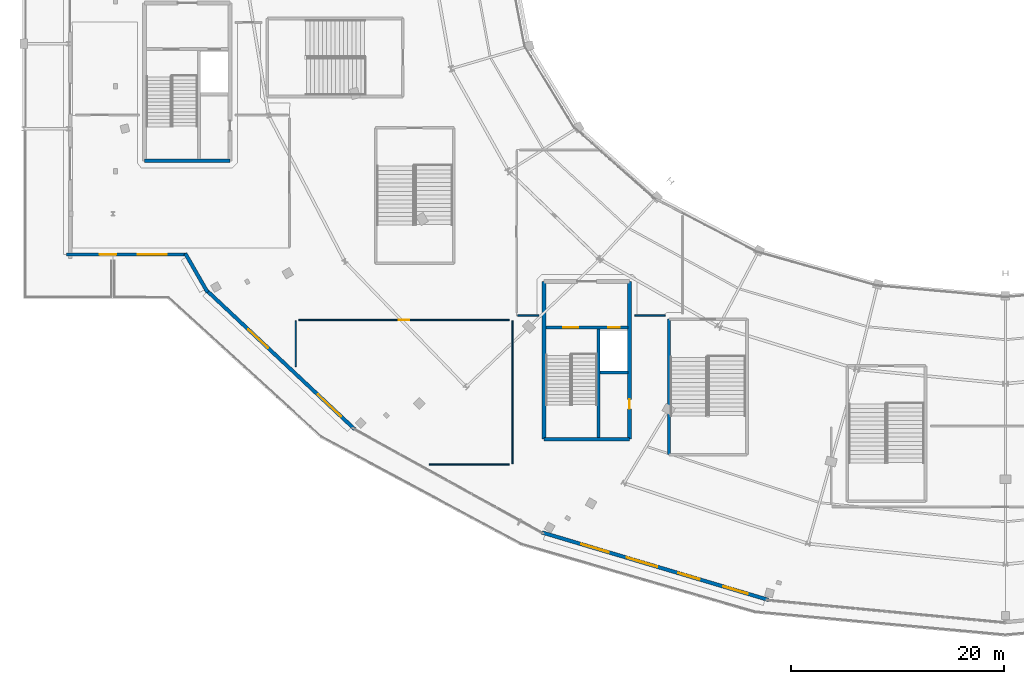
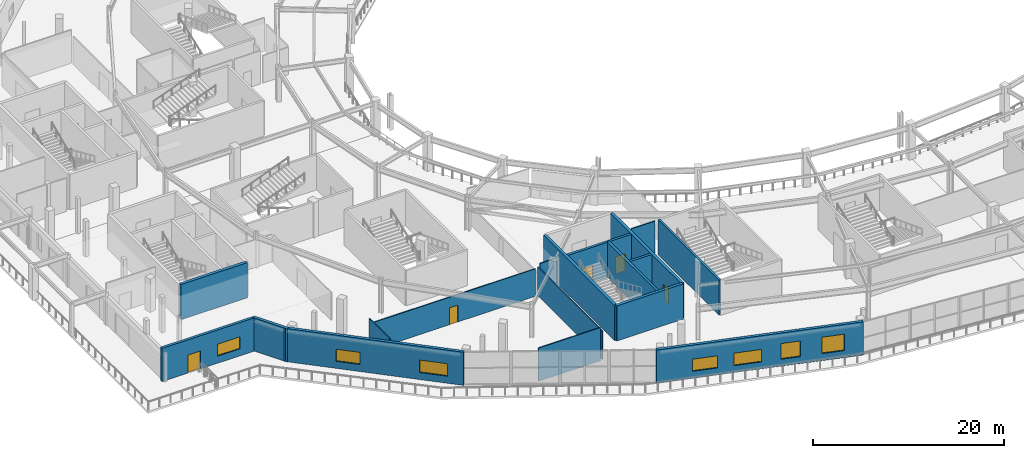
# One storey, part 74 of 107: 18 walls, 7 windows, 5 doors, 12 openings.
"""IFC4 building model written with IfcOpenShell, lengths in metres."""

import ifcopenshell
import ifcopenshell.guid

model = None  # the IFC model being written
_history = None  # IfcOwnerHistory: only IFC2X3 demands one
_inside = {}  # id of a spatial element -> (the spatial element, [elements in it])
_under = {}  # id of a project, library or spatial element -> (it, [spatial elements below it])
_declared = {}  # id of a project -> (the project, [libraries it declares])
_typed = {}  # id of a type object -> (the type object, [elements of that type])
_made_of = {}  # id of a material, layer set ... -> (it, [elements and type objects made of it])


def new_model(schema):
    """Start an empty IFC model of exactly this schema.

    Asked for "IFC4X3", IfcOpenShell would pick the latest addendum, in which some entities
    have other attributes; the version numbers below select the first issue.
    IFC2X3 requires an IfcOwnerHistory on every rooted entity: one is made here for all.
    """
    global model, _history
    if schema == "IFC4X3":
        model = ifcopenshell.file(schema_version=(4, 3, 0, 0))
    else:
        model = ifcopenshell.file(schema=schema)
    _inside.clear()
    _under.clear()
    _declared.clear()
    _typed.clear()
    _made_of.clear()
    _history = None
    if model.schema == "IFC2X3":
        org = make("IfcOrganization", Name="unknown")
        user = make(
            "IfcPersonAndOrganization",
            ThePerson=make("IfcPerson", FamilyName="unknown"),
            TheOrganization=org,
        )
        app = make(
            "IfcApplication",
            ApplicationDeveloper=org,
            Version="unknown",
            ApplicationFullName="unknown",
            ApplicationIdentifier="unknown",
        )
        _history = make(
            "IfcOwnerHistory",
            OwningUser=user,
            OwningApplication=app,
            ChangeAction="ADDED",
            CreationDate=0,
        )
    return model


def make(cls, **values):
    """One entity of the class cls with the attributes given. An attribute that is None is left unset."""
    return model.create_entity(
        cls, **{name: value for name, value in values.items() if value is not None}
    )


def rooted(cls, **values):
    """An entity with a GlobalId (a new one), such as an element, a storey or a relation."""
    return make(cls, GlobalId=ifcopenshell.guid.new(), OwnerHistory=_history, **values)


def si_unit(unit_type, name, prefix=None):
    """IfcSIUnit, for example si_unit("LENGTHUNIT", "METRE", prefix="MILLI")."""
    return make("IfcSIUnit", UnitType=unit_type, Prefix=prefix, Name=name)


def assignment(units):
    """IfcUnitAssignment: the units of a project."""
    return None if units is None else make("IfcUnitAssignment", Units=units)


def point(xyz):
    """IfcCartesianPoint."""
    return None if xyz is None else make("IfcCartesianPoint", Coordinates=xyz)


def direction(xyz):
    """IfcDirection."""
    return None if xyz is None else make("IfcDirection", DirectionRatios=xyz)


def frame(location, z_axis=None, x_axis=None):
    """IfcAxis2Placement3D, a coordinate frame: its origin and axes. An axis left out is left unset."""
    return make(
        "IfcAxis2Placement3D",
        Location=point(location),
        Axis=direction(z_axis),
        RefDirection=direction(x_axis),
    )


def frame_2d(location, x_axis=None):
    """IfcAxis2Placement2D, a coordinate frame in the plane: its origin and x axis."""
    return make(
        "IfcAxis2Placement2D", Location=point(location), RefDirection=direction(x_axis)
    )


def origin():
    """The frame at (0, 0, 0) with its axes left unset."""
    return frame((0.0, 0.0, 0.0))


def place(relative_to, where):
    """IfcLocalPlacement: puts the frame where relative to a parent placement (None: the world)."""
    return make(
        "IfcLocalPlacement", PlacementRelTo=relative_to, RelativePlacement=where
    )


def context(
    kind, dimensions, precision=None, world=None, true_north=None, identifier=None
):
    """IfcGeometricRepresentationContext, for example the 3D "Model" context."""
    return make(
        "IfcGeometricRepresentationContext",
        ContextIdentifier=identifier,
        ContextType=kind,
        CoordinateSpaceDimension=dimensions,
        Precision=precision,
        WorldCoordinateSystem=world,
        TrueNorth=true_north,
    )


def subcontext(parent, identifier, kind, view, scale=None):
    """IfcGeometricRepresentationSubContext, for example "Body" below "Model"."""
    return make(
        "IfcGeometricRepresentationSubContext",
        ContextIdentifier=identifier,
        ContextType=kind,
        ParentContext=parent,
        TargetScale=scale,
        TargetView=view,
    )


def project(units=None, contexts=None):
    """IfcProject with its units and contexts."""
    return rooted(
        "IfcProject",
        Name="project",
        RepresentationContexts=contexts,
        UnitsInContext=assignment(units),
    )


def spatial(cls, under=None, at=None, **own):
    """A site, building, storey or space (cls), placed at a placement, below another one or the project."""
    s = rooted(cls, ObjectPlacement=at, **own)
    if under is not None:
        _under.setdefault(under.id(), (under, []))[1].append(s)
    return s


def profile(cls, at=None, kind="AREA", **sizes):
    """A parametric profile (cls). Its sizes go by their IFC names, for example OverallWidth=200.0."""
    return make(cls, ProfileType=kind, Position=at, **sizes)


def rectangle(**sizes):
    """IfcRectangleProfileDef."""
    return profile("IfcRectangleProfileDef", **sizes)


def extrude(swept, where, along, depth):
    """IfcExtrudedAreaSolid: the profile swept, set in the frame where, extruded along a direction by depth."""
    return make(
        "IfcExtrudedAreaSolid",
        SweptArea=swept,
        Position=where,
        ExtrudedDirection=direction(along),
        Depth=depth,
    )


def shape(context_of_items, identifier, shape_type, items):
    """IfcShapeRepresentation: the items that make up one representation, for example the "Body"."""
    return make(
        "IfcShapeRepresentation",
        ContextOfItems=context_of_items,
        RepresentationIdentifier=identifier,
        RepresentationType=shape_type,
        Items=items,
    )


def material(Name=None, Category=None):
    """IfcMaterial."""
    return make("IfcMaterial", Name=Name, Category=Category)


def layer(
    of_material, thickness, ventilated=None, Name=None, Category=None, Priority=None
):
    """IfcMaterialLayer: one layer of a wall or slab, of a material (None: an air gap)."""
    return make(
        "IfcMaterialLayer",
        Material=of_material,
        LayerThickness=thickness,
        IsVentilated=ventilated,
        Name=Name,
        Category=Category,
        Priority=Priority,
    )


def layer_set(layers, Name=None):
    """IfcMaterialLayerSet."""
    return make("IfcMaterialLayerSet", MaterialLayers=layers, LayerSetName=Name)


def made_of(thing, what):
    """Note that an element or type object is made of a material, layer set ...; save() writes the relation."""
    if what is not None:
        _made_of.setdefault(what.id(), (what, []))[1].append(thing)
    return thing


def type_object(cls, material=None, **own):
    """A type object (cls), such as IfcWallType, which elements share."""
    return made_of(rooted(cls, **own), material)


def element(
    cls,
    number,
    at=None,
    inside=None,
    cuts=None,
    type_object=None,
    material=None,
    context=None,
    identifier="Body",
    shape_type=None,
    held_by="IfcProductDefinitionShape",
    body=None,
    shapes=None,
    **own,
):
    """One element of the class cls, such as IfcWall. Its Tag is "e" and its number.

    at: its placement. inside: the storey or other place that contains it. cuts: it is an
    opening in that element (IfcRelVoidsElement). A single representation is given by context,
    identifier, shape_type and body (its items); several are given by shapes. held_by: the class
    of the entity that holds the representations. save() writes the other relations.
    """
    e = rooted(cls, Tag="e%d" % number, ObjectPlacement=at, **own)
    if body is not None:
        shapes = [shape(context, identifier, shape_type, body)]
    if shapes is not None:
        e.Representation = make(held_by, Representations=shapes)
    if inside is not None:
        _inside.setdefault(inside.id(), (inside, []))[1].append(e)
    if cuts is not None:
        rooted(
            "IfcRelVoidsElement", RelatingBuildingElement=cuts, RelatedOpeningElement=e
        )
    if type_object is not None:
        _typed.setdefault(type_object.id(), (type_object, []))[1].append(e)
    return made_of(e, material)


def fill(opening, filler):
    """IfcRelFillsElement: the door or window that sits in an opening."""
    return rooted(
        "IfcRelFillsElement",
        RelatingOpeningElement=opening,
        RelatedBuildingElement=filler,
    )


def aggregate(whole, parts):
    """IfcRelAggregates: a whole, such as a stair, and the parts it consists of."""
    return rooted("IfcRelAggregates", RelatingObject=whole, RelatedObjects=parts)


def save(model, path):
    """Write the relations noted so far, then the file.

    IfcRelAggregates (storeys below a building ...), IfcRelContainedInSpatialStructure (elements
    in a storey), IfcRelDefinesByType, IfcRelAssociatesMaterial and IfcRelDeclares: one each for
    every whole, place, type object, material and project.
    """
    for whole, parts in _under.values():
        aggregate(whole, parts)
    for where, things in _inside.values():
        rooted(
            "IfcRelContainedInSpatialStructure",
            RelatedElements=things,
            RelatingStructure=where,
        )
    for kind, things in _typed.values():
        rooted("IfcRelDefinesByType", RelatedObjects=things, RelatingType=kind)
    for what, things in _made_of.values():
        rooted("IfcRelAssociatesMaterial", RelatedObjects=things, RelatingMaterial=what)
    for by, libraries in _declared.values():
        rooted("IfcRelDeclares", RelatingContext=by, RelatedDefinitions=libraries)
    model.write(path)


model = new_model("IFC4")

# Units and contexts
model_context = context("Model", 3, precision=1e-05, world=origin(), true_north=direction((0.0, 1.0)))
body_context = subcontext(model_context, "Body", "Model", "MODEL_VIEW")
ifc_project = project(units=[si_unit("LENGTHUNIT", "METRE"), si_unit("AREAUNIT", "SQUARE_METRE"), si_unit("VOLUMEUNIT", "CUBIC_METRE"), si_unit("PLANEANGLEUNIT", "RADIAN"), si_unit("MASSUNIT", "GRAM", prefix="KILO")], contexts=[model_context])

# Site, building, storey
site_placement = place(None, origin())
site = spatial("IfcSite", under=ifc_project, at=site_placement, CompositionType="ELEMENT")
building_placement = place(site_placement, origin())
building = spatial("IfcBuilding", under=site, at=building_placement, Name="Kalgoora Escarpment Arena", CompositionType="ELEMENT")
storey_placement = place(building_placement, frame((0.0, 0.0, 5.39990234375)))
storey = spatial("IfcBuildingStorey", under=building, at=storey_placement, Name="L01", CompositionType="ELEMENT", Elevation=5.39990234375)

# Walls
ifc_material_1 = material(Name="Concrete N50 (fc' 50 MPa)", Category="concrete")
ifc_layer_1 = layer(ifc_material_1, 0.35009765625)
ifc_layer_set_1 = layer_set([ifc_layer_1], Name="WAL-CORE-350")
wall_type_1 = type_object("IfcWallType", Name="WAL-CORE-350", PredefinedType="SHEAR", material=ifc_layer_set_1)
wall_1_placement = place(storey_placement, frame((11.375, 44.97509765625, 0.0), z_axis=(0.0, 0.0, 1.0), x_axis=(1.0, 0.0, 0.0)))
element("IfcWall", 1, at=wall_1_placement, inside=storey, type_object=wall_type_1, Name="Core C2 L01 south shear wall", PredefinedType="SHEAR", context=body_context, shape_type="SweptSolid", body=[
    extrude(rectangle(XDim=8.050048828125, YDim=0.35009765625, at=frame_2d((4.02490234375, 0.0))), origin(), (0.0, 0.0, 1.0), 4.5),
])
wall_2_placement = place(storey_placement, frame((48.97509765625, 18.77490234375, 0.0), z_axis=(0.0, 0.0, 1.0), x_axis=(1.0, 0.0, 0.0)))
element("IfcWall", 2, at=wall_2_placement, inside=storey, type_object=wall_type_1, Name="Core C5 L01 south shear wall", PredefinedType="SHEAR", context=body_context, shape_type="SweptSolid", body=[
    extrude(rectangle(XDim=8.0498046875, YDim=0.35009765625, at=frame_2d((4.02490234375, 0.0))), origin(), (0.0, 0.0, 1.0), 4.5),
])
wall_3_placement = place(storey_placement, frame((48.97509765625, 18.77490234375, 0.0), z_axis=(0.0, 0.0, 1.0), x_axis=(0.0, 1.0, 0.0)))
element("IfcWall", 3, at=wall_3_placement, inside=storey, type_object=wall_type_1, Name="Core C5 L01 west shear wall", PredefinedType="SHEAR", context=body_context, shape_type="SweptSolid", body=[
    extrude(rectangle(XDim=14.85009765625, YDim=0.35009765625, at=frame_2d((7.425048828125, 0.0))), origin(), (0.0, 0.0, 1.0), 4.5),
])

# Wall, opening, door
wall_4_placement = place(storey_placement, frame((57.02490234375, 18.77490234375, 0.0), z_axis=(0.0, 0.0, 1.0), x_axis=(0.0, 1.0, 0.0)))
wall_4 = element("IfcWall", 4, at=wall_4_placement, inside=storey, type_object=wall_type_1, Name="Core C5 L01 east shear wall", PredefinedType="SHEAR", context=body_context, shape_type="SweptSolid", body=[
    extrude(rectangle(XDim=14.85009765625, YDim=0.35009765625, at=frame_2d((7.425048828125, 0.0))), origin(), (0.0, 0.0, 1.0), 4.5),
])
opening_1_placement = place(wall_4_placement, frame((2.85498046875, 0.0, 0.0)))
opening_1 = element("IfcOpeningElement", 5, at=opening_1_placement, cuts=wall_4, Name="Opening FD-C5R", PredefinedType="OPENING", context=body_context, shape_type="SweptSolid", body=[
    extrude(rectangle(XDim=0.89990234375, YDim=2.10009765625, at=frame_2d((0.449951171875, 1.050048828125))), frame((0.0, 0.18505859375, 0.0), z_axis=(0.0, -1.0, 0.0), x_axis=(1.0, 0.0, 0.0)), (0.0, 0.0, 1.0), 0.3701171875),
])
ifc_material_2 = material(Name="Fire-rated steel riser access door", Category="steel")
door_type_1 = type_object("IfcDoorType", Name="DR-RISER-0900", OperationType="NOTDEFINED", PredefinedType="DOOR", material=ifc_material_2)
door_1_placement = place(opening_1_placement, origin())
door_1 = element("IfcDoor", 6, at=door_1_placement, inside=storey, type_object=door_type_1, Name="Core C5 L01 riser cupboard access door", OperationType="SINGLE_SWING_RIGHT", OverallHeight=2.10009765625, OverallWidth=0.89990234375, PredefinedType="DOOR", context=body_context, shape_type="SweptSolid", body=[
    extrude(rectangle(XDim=0.89990234375, YDim=2.10009765625, at=frame_2d((0.449951171875, 1.050048828125))), frame((0.0, 0.02490234375, 0.0), z_axis=(0.0, -1.0, 0.0), x_axis=(1.0, 0.0, 0.0)), (0.0, 0.0, 1.0), 0.050048828125),
])
fill(opening_1, door_1)

# Walls
ifc_material_3 = material(Name="Hospitality acoustic drywall partition", Category="gypsum")
ifc_layer_2 = layer(ifc_material_3, 0.135009765625)
ifc_layer_set_2 = layer_set([ifc_layer_2], Name="WAL-DIN-135")
wall_type_2 = type_object("IfcWallType", Name="WAL-DIN-135", PredefinedType="PARTITIONING", material=ifc_layer_set_2)
wall_5_placement = place(storey_placement, frame((48.47509765625, 30.39990234375, 0.0), z_axis=(0.0, 0.0, 1.0), x_axis=(-1.0, 0.0, 0.0)))
element("IfcWall", 7, at=wall_5_placement, inside=storey, type_object=wall_type_2, Name="L01 Escarpment Bistro Bar partition wall", PredefinedType="PARTITIONING", context=body_context, shape_type="SweptSolid", body=[
    extrude(rectangle(XDim=1.9951171875, YDim=0.135009765625, at=frame_2d((0.99755859375, 0.0))), origin(), (0.0, 0.0, 1.0), 3.68212890625),
])
wall_6_placement = place(storey_placement, frame((60.37890625, 30.39990234375, 0.0), z_axis=(0.0, 0.0, 1.0), x_axis=(-1.0, 0.0, 0.0)))
element("IfcWall", 8, at=wall_6_placement, inside=storey, type_object=wall_type_2, Name="L01 Escarpment Bistro Bar partition wall", PredefinedType="PARTITIONING", context=body_context, shape_type="SweptSolid", body=[
    extrude(rectangle(XDim=2.85400390625, YDim=0.135009765625, at=frame_2d((1.427001953125, 0.0))), origin(), (0.0, 0.0, 1.0), 4.239990234375),
])

# Wall, openings, door, window
ifc_material_4 = material(Name="Insulated limestone cladding precast wall 40 MPa", Category="masonry")
ifc_layer_3 = layer(ifc_material_4, 0.31494140625)
ifc_layer_set_3 = layer_set([ifc_layer_3], Name="WAL-EXT-315")
wall_type_3 = type_object("IfcWallType", Name="WAL-EXT-315", PredefinedType="SOLIDWALL", material=ifc_layer_set_3)
wall_7_placement = place(storey_placement, frame((15.3388671875, 36.157470703125, 0.0), z_axis=(0.0, 0.0, 1.0), x_axis=(-1.0, 0.0, 0.0)))
wall_7 = element("IfcWall", 9, at=wall_7_placement, inside=storey, type_object=wall_type_3, Name="L01 limestone-faced external wall 030", PredefinedType="SOLIDWALL", context=body_context, shape_type="SweptSolid", body=[
    extrude(rectangle(XDim=11.321533203125, YDim=0.31494140625, at=frame_2d((5.66064453125, 0.0))), origin(), (0.0, 0.0, 1.0), 4.25),
])
opening_2_placement = place(wall_7_placement, frame((6.64501953125, 0.0, 0.0)))
opening_2 = element("IfcOpeningElement", 10, at=opening_2_placement, cuts=wall_7, Name="Opening TD01", PredefinedType="OPENING", context=body_context, shape_type="SweptSolid", body=[
    extrude(rectangle(XDim=1.550048828125, YDim=2.300048828125, at=frame_2d((0.77490234375, 1.14990234375))), frame((0.0, 0.16748046875, 0.0), z_axis=(0.0, -1.0, 0.0), x_axis=(1.0, 0.0, 0.0)), (0.0, 0.0, 1.0), 0.3349609375),
])
opening_3_placement = place(wall_7_placement, frame((1.89990234375, 0.0, 0.89990234375)))
opening_3 = element("IfcOpeningElement", 11, at=opening_3_placement, cuts=wall_7, Name="Opening W-12", PredefinedType="OPENING", context=body_context, shape_type="SweptSolid", body=[
    extrude(rectangle(XDim=2.699951171875, YDim=1.550048828125, at=frame_2d((1.35009765625, 0.77490234375))), frame((0.0, 0.16748046875, 0.0), z_axis=(0.0, -1.0, 0.0), x_axis=(1.0, 0.0, 0.0)), (0.0, 0.0, 1.0), 0.3349609375),
])
ifc_material_5 = material(Name="Thermally broken aluminium glazed terrace double door", Category="aluminium")
door_type_2 = type_object("IfcDoorType", Name="DR-TERR-1550", OperationType="NOTDEFINED", PredefinedType="DOOR", material=ifc_material_5)
door_2_placement = place(opening_2_placement, origin())
door_2 = element("IfcDoor", 12, at=door_2_placement, inside=storey, type_object=door_type_2, Name="Upper Foyer Escarpment Plaza access door TD01", OperationType="DOUBLE_DOOR_SINGLE_SWING", OverallHeight=2.300048828125, OverallWidth=1.550048828125, PredefinedType="DOOR", context=body_context, shape_type="SweptSolid", body=[
    extrude(rectangle(XDim=1.550048828125, YDim=2.300048828125, at=frame_2d((0.77490234375, 1.14990234375))), frame((0.0, 0.02490234375, 0.0), z_axis=(0.0, -1.0, 0.0), x_axis=(1.0, 0.0, 0.0)), (0.0, 0.0, 1.0), 0.050048828125),
])
fill(opening_2, door_2)
ifc_material_6 = material(Name="Low-E solar-control double glazing in champagne frame", Category="glass")
window_type_1 = type_object("IfcWindowType", Name="WIN-BAND-2700x1550", PartitioningType="SINGLE_PANEL", PredefinedType="WINDOW", material=ifc_material_6)
window_1_placement = place(opening_3_placement, origin())
window_1 = element("IfcWindow", 13, at=window_1_placement, inside=storey, type_object=window_type_1, Name="L01 scheduled facade window 012", OverallHeight=1.550048828125, OverallWidth=2.699951171875, PartitioningType="SINGLE_PANEL", PredefinedType="WINDOW", context=body_context, shape_type="SweptSolid", body=[
    extrude(rectangle(XDim=2.699951171875, YDim=1.550048828125, at=frame_2d((1.35009765625, 0.77490234375))), frame((0.0, 0.030029296875, 0.0), z_axis=(0.0, -1.0, 0.0), x_axis=(1.0, 0.0, 0.0)), (0.0, 0.0, 1.0), 0.06005859375),
])
fill(opening_3, window_1)

# Wall, openings, windows
ifc_material_7 = material(Name="Fluted Art Deco precast concrete 40 MPa", Category="concrete")
ifc_layer_4 = layer(ifc_material_7, 0.340087890625)
ifc_layer_set_4 = layer_set([ifc_layer_4], Name="WAL-EXT-340")
wall_type_4 = type_object("IfcWallType", Name="WAL-EXT-340", PredefinedType="SOLIDWALL", material=ifc_layer_set_4)
wall_8_placement = place(storey_placement, frame((70.1201171875, 3.6396484375, 0.0), z_axis=(0.0, 0.0, 1.0), x_axis=(-0.958339954226, 0.285630061678, 0.0)))
wall_8 = element("IfcWall", 14, at=wall_8_placement, inside=storey, type_object=wall_type_4, Name="L01 limestone-faced external wall 027", PredefinedType="SOLIDWALL", context=body_context, shape_type="SweptSolid", body=[
    extrude(rectangle(XDim=22.2890625, YDim=0.340087890625, at=frame_2d((11.14453125, 0.0))), origin(), (0.0, 0.0, 1.0), 4.25),
])
opening_4_placement = place(wall_8_placement, frame((2.050048828125, 0.0, 0.89990234375)))
opening_4 = element("IfcOpeningElement", 15, at=opening_4_placement, cuts=wall_8, Name="Opening W-06", PredefinedType="OPENING", context=body_context, shape_type="SweptSolid", body=[
    extrude(rectangle(XDim=2.39990234375, YDim=2.10009765625, at=frame_2d((1.199951171875, 1.050048828125))), frame((0.0, 0.179931640625, 0.0), z_axis=(0.0, -1.0, 0.0), x_axis=(1.0, 0.0, 0.0)), (0.0, 0.0, 1.0), 0.360107421875),
])
opening_5_placement = place(wall_8_placement, frame((6.800048828125, 0.0, 0.89990234375)))
opening_5 = element("IfcOpeningElement", 16, at=opening_5_placement, cuts=wall_8, Name="Opening W-08", PredefinedType="OPENING", context=body_context, shape_type="SweptSolid", body=[
    extrude(rectangle(XDim=2.10009765625, YDim=2.0, at=frame_2d((1.050048828125, 1.0))), frame((0.0, 0.179931640625, 0.0), z_axis=(0.0, -1.0, 0.0), x_axis=(1.0, 0.0, 0.0)), (0.0, 0.0, 1.0), 0.360107421875),
])
opening_6_placement = place(wall_8_placement, frame((10.949951171875, 0.0, 0.89990234375)))
opening_6 = element("IfcOpeningElement", 17, at=opening_6_placement, cuts=wall_8, Name="Opening W-10", PredefinedType="OPENING", context=body_context, shape_type="SweptSolid", body=[
    extrude(rectangle(XDim=3.0, YDim=1.60009765625, at=frame_2d((1.5, 0.800048828125))), frame((0.0, 0.179931640625, 0.0), z_axis=(0.0, -1.0, 0.0), x_axis=(1.0, 0.0, 0.0)), (0.0, 0.0, 1.0), 0.360107421875),
])
opening_7_placement = place(wall_8_placement, frame((15.699951171875, 0.0, 0.89990234375)))
opening_7 = element("IfcOpeningElement", 18, at=opening_7_placement, cuts=wall_8, Name="Opening W-12", PredefinedType="OPENING", context=body_context, shape_type="SweptSolid", body=[
    extrude(rectangle(XDim=2.699951171875, YDim=1.550048828125, at=frame_2d((1.35009765625, 0.77490234375))), frame((0.0, 0.179931640625, 0.0), z_axis=(0.0, -1.0, 0.0), x_axis=(1.0, 0.0, 0.0)), (0.0, 0.0, 1.0), 0.360107421875),
])
window_2_placement = place(opening_7_placement, origin())
window_2 = element("IfcWindow", 19, at=window_2_placement, inside=storey, type_object=window_type_1, Name="L01 scheduled facade window 009", OverallHeight=1.550048828125, OverallWidth=2.699951171875, PartitioningType="SINGLE_PANEL", PredefinedType="WINDOW", context=body_context, shape_type="SweptSolid", body=[
    extrude(rectangle(XDim=2.699951171875, YDim=1.550048828125, at=frame_2d((1.35009765625, 0.77490234375))), frame((0.0, 0.030029296875, 0.0), z_axis=(0.0, -1.0, 0.0), x_axis=(1.0, 0.0, 0.0)), (0.0, 0.0, 1.0), 0.06005859375),
])
fill(opening_7, window_2)
ifc_material_8 = material(Name="Low-E solar-control double glazing in champagne frame", Category="glass")
window_type_2 = type_object("IfcWindowType", Name="WIN-BAND-3000x1600", PartitioningType="SINGLE_PANEL", PredefinedType="WINDOW", material=ifc_material_8)
window_3_placement = place(opening_6_placement, origin())
window_3 = element("IfcWindow", 20, at=window_3_placement, inside=storey, type_object=window_type_2, Name="L01 scheduled facade window 008", OverallHeight=1.60009765625, OverallWidth=3.0, PartitioningType="SINGLE_PANEL", PredefinedType="WINDOW", context=body_context, shape_type="SweptSolid", body=[
    extrude(rectangle(XDim=3.0, YDim=1.60009765625, at=frame_2d((1.5, 0.800048828125))), frame((0.0, 0.030029296875, 0.0), z_axis=(0.0, -1.0, 0.0), x_axis=(1.0, 0.0, 0.0)), (0.0, 0.0, 1.0), 0.06005859375),
])
fill(opening_6, window_3)
ifc_material_9 = material(Name="Low-E solar-control double glazing in champagne frame", Category="glass")
window_type_3 = type_object("IfcWindowType", Name="WIN-DECO-2100x2000", PartitioningType="SINGLE_PANEL", PredefinedType="WINDOW", material=ifc_material_9)
window_4_placement = place(opening_5_placement, origin())
window_4 = element("IfcWindow", 21, at=window_4_placement, inside=storey, type_object=window_type_3, Name="L01 scheduled facade window 007", OverallHeight=2.0, OverallWidth=2.10009765625, PartitioningType="SINGLE_PANEL", PredefinedType="WINDOW", context=body_context, shape_type="SweptSolid", body=[
    extrude(rectangle(XDim=2.10009765625, YDim=2.0, at=frame_2d((1.050048828125, 1.0))), frame((0.0, 0.030029296875, 0.0), z_axis=(0.0, -1.0, 0.0), x_axis=(1.0, 0.0, 0.0)), (0.0, 0.0, 1.0), 0.06005859375),
])
fill(opening_5, window_4)
ifc_material_10 = material(Name="Low-E solar-control double glazing in champagne frame", Category="glass")
window_type_4 = type_object("IfcWindowType", Name="WIN-DECO-2400x2100", PartitioningType="SINGLE_PANEL", PredefinedType="WINDOW", material=ifc_material_10)
window_5_placement = place(opening_4_placement, origin())
window_5 = element("IfcWindow", 22, at=window_5_placement, inside=storey, type_object=window_type_4, Name="L01 scheduled facade window 006", OverallHeight=2.10009765625, OverallWidth=2.39990234375, PartitioningType="SINGLE_PANEL", PredefinedType="WINDOW", context=body_context, shape_type="SweptSolid", body=[
    extrude(rectangle(XDim=2.39990234375, YDim=2.10009765625, at=frame_2d((1.199951171875, 1.050048828125))), frame((0.0, 0.030029296875, 0.0), z_axis=(0.0, -1.0, 0.0), x_axis=(1.0, 0.0, 0.0)), (0.0, 0.0, 1.0), 0.06005859375),
])
fill(opening_4, window_5)

wall_9_placement = place(storey_placement, frame((31.141845703125, 19.72412109375, 0.0), z_axis=(0.0, 0.0, 1.0), x_axis=(-0.729448660381, 0.684035563307, 0.0)))
wall_9 = element("IfcWall", 23, at=wall_9_placement, inside=storey, type_object=wall_type_4, Name="L01 limestone-faced external wall 028", PredefinedType="SOLIDWALL", context=body_context, shape_type="SweptSolid", body=[
    extrude(rectangle(XDim=19.34814453125, YDim=0.340087890625, at=frame_2d((9.674072265625, 0.0))), origin(), (0.0, 0.0, 1.0), 4.25),
])
opening_8_placement = place(wall_9_placement, frame((1.75, 0.0, 0.89990234375)))
opening_8 = element("IfcOpeningElement", 24, at=opening_8_placement, cuts=wall_9, Name="Opening W-10", PredefinedType="OPENING", context=body_context, shape_type="SweptSolid", body=[
    extrude(rectangle(XDim=3.0, YDim=1.60009765625, at=frame_2d((1.5, 0.800048828125))), frame((0.0, 0.179931640625, 0.0), z_axis=(0.0, -1.0, 0.0), x_axis=(1.0, 0.0, 0.0)), (0.0, 0.0, 1.0), 0.360107421875),
])
opening_9_placement = place(wall_9_placement, frame((11.175048828125, 0.0, 0.89990234375)))
opening_9 = element("IfcOpeningElement", 25, at=opening_9_placement, cuts=wall_9, Name="Opening W-13", PredefinedType="OPENING", context=body_context, shape_type="SweptSolid", body=[
    extrude(rectangle(XDim=2.550048828125, YDim=1.550048828125, at=frame_2d((1.27490234375, 0.77490234375))), frame((0.0, 0.179931640625, 0.0), z_axis=(0.0, -1.0, 0.0), x_axis=(1.0, 0.0, 0.0)), (0.0, 0.0, 1.0), 0.360107421875),
])
ifc_material_11 = material(Name="Low-E solar-control double glazing in champagne frame", Category="glass")
window_type_5 = type_object("IfcWindowType", Name="WIN-BAND-2550x1550", PartitioningType="SINGLE_PANEL", PredefinedType="WINDOW", material=ifc_material_11)
window_6_placement = place(opening_9_placement, origin())
window_6 = element("IfcWindow", 26, at=window_6_placement, inside=storey, type_object=window_type_5, Name="L01 scheduled facade window 011", OverallHeight=1.550048828125, OverallWidth=2.550048828125, PartitioningType="SINGLE_PANEL", PredefinedType="WINDOW", context=body_context, shape_type="SweptSolid", body=[
    extrude(rectangle(XDim=2.550048828125, YDim=1.550048828125, at=frame_2d((1.27490234375, 0.77490234375))), frame((0.0, 0.030029296875, 0.0), z_axis=(0.0, -1.0, 0.0), x_axis=(1.0, 0.0, 0.0)), (0.0, 0.0, 1.0), 0.06005859375),
])
fill(opening_9, window_6)
window_7_placement = place(opening_8_placement, origin())
window_7 = element("IfcWindow", 27, at=window_7_placement, inside=storey, type_object=window_type_2, Name="L01 scheduled facade window 010", OverallHeight=1.60009765625, OverallWidth=3.0, PartitioningType="SINGLE_PANEL", PredefinedType="WINDOW", context=body_context, shape_type="SweptSolid", body=[
    extrude(rectangle(XDim=3.0, YDim=1.60009765625, at=frame_2d((1.5, 0.800048828125))), frame((0.0, 0.030029296875, 0.0), z_axis=(0.0, -1.0, 0.0), x_axis=(1.0, 0.0, 0.0)), (0.0, 0.0, 1.0), 0.06005859375),
])
fill(opening_8, window_7)

# Walls
wall_10_placement = place(storey_placement, frame((17.301513671875, 32.614013671875, 0.0), z_axis=(0.0, 0.0, 1.0), x_axis=(-0.498920807722, 0.866647579828, 0.0)))
element("IfcWall", 28, at=wall_10_placement, inside=storey, type_object=wall_type_4, Name="L01 limestone-faced external wall 029", PredefinedType="SOLIDWALL", context=body_context, shape_type="SweptSolid", body=[
    extrude(rectangle(XDim=4.201904296875, YDim=0.340087890625, at=frame_2d((2.10107421875, 0.0))), origin(), (0.0, 0.0, 1.0), 4.25),
])
ifc_material_12 = material(Name="Light steel-stud office partition", Category="steel")
ifc_layer_5 = layer(ifc_material_12, 0.114990234375)
ifc_layer_set_5 = layer_set([ifc_layer_5], Name="WAL-OFF-115")
wall_type_5 = type_object("IfcWallType", Name="WAL-OFF-115", PredefinedType="PARTITIONING", material=ifc_layer_set_5)
wall_11_placement = place(storey_placement, frame((46.0, 29.919921875, 0.0), z_axis=(0.0, 0.0, 1.0), x_axis=(0.0, -1.0, 0.0)))
element("IfcWall", 29, at=wall_11_placement, inside=storey, type_object=wall_type_5, Name="L01 Guest Relations Office partition wall", PredefinedType="PARTITIONING", context=body_context, shape_type="SweptSolid", body=[
    extrude(rectangle(XDim=13.43994140625, YDim=0.114990234375, at=frame_2d((6.719970703125, 0.0))), origin(), (0.0, 0.0, 1.0), 3.68212890625),
])
wall_12_placement = place(storey_placement, frame((45.715087890625, 16.39990234375, 0.0), z_axis=(0.0, 0.0, 1.0), x_axis=(-1.0, 0.0, 0.0)))
element("IfcWall", 30, at=wall_12_placement, inside=storey, type_object=wall_type_5, Name="L01 Guest Relations Office partition wall", PredefinedType="PARTITIONING", context=body_context, shape_type="SweptSolid", body=[
    extrude(rectangle(XDim=7.53369140625, YDim=0.114990234375, at=frame_2d((3.766845703125, 0.0))), origin(), (0.0, 0.0, 1.0), 4.239990234375),
])
wall_13_placement = place(storey_placement, frame((25.60009765625, 25.617919921875, 0.0), z_axis=(0.0, 0.0, 1.0), x_axis=(0.0, 1.0, 0.0)))
element("IfcWall", 31, at=wall_13_placement, inside=storey, type_object=wall_type_5, Name="L01 Guest Relations Office partition wall", PredefinedType="PARTITIONING", context=body_context, shape_type="SweptSolid", body=[
    extrude(rectangle(XDim=4.302001953125, YDim=0.114990234375, at=frame_2d((2.15087890625, 0.0))), origin(), (0.0, 0.0, 1.0), 4.25),
])

# Wall, opening, door
wall_14_placement = place(storey_placement, frame((25.884765625, 30.0, 0.0), z_axis=(0.0, 0.0, 1.0), x_axis=(1.0, 0.0, 0.0)))
wall_14 = element("IfcWall", 32, at=wall_14_placement, inside=storey, type_object=wall_type_5, Name="L01 Guest Relations Office partition wall", PredefinedType="PARTITIONING", context=body_context, shape_type="SweptSolid", body=[
    extrude(rectangle(XDim=19.830322265625, YDim=0.114990234375, at=frame_2d((9.9150390625, 0.0))), origin(), (0.0, 0.0, 1.0), 3.51513671875),
])
opening_10_placement = place(wall_14_placement, frame((9.42529296875, 0.0, 0.0)))
opening_10 = element("IfcOpeningElement", 33, at=opening_10_placement, cuts=wall_14, Name="Opening D-I066", PredefinedType="OPENING", context=body_context, shape_type="SweptSolid", body=[
    extrude(rectangle(XDim=0.97998046875, YDim=2.14990234375, at=frame_2d((0.489990234375, 1.074951171875))), frame((0.0, 0.0673828125, 0.0), z_axis=(0.0, -1.0, 0.0), x_axis=(1.0, 0.0, 0.0)), (0.0, 0.0, 1.0), 0.135009765625),
])
ifc_material_13 = material(Name="Solid-core acoustic timber door", Category="wood")
door_type_3 = type_object("IfcDoorType", Name="DR-GEN-0980", OperationType="NOTDEFINED", PredefinedType="DOOR", material=ifc_material_13)
door_3_placement = place(opening_10_placement, origin())
door_3 = element("IfcDoor", 34, at=door_3_placement, inside=storey, type_object=door_type_3, Name="Guest Relations Office entrance door", OperationType="SINGLE_SWING_LEFT", OverallHeight=2.14990234375, OverallWidth=0.97998046875, PredefinedType="DOOR", context=body_context, shape_type="SweptSolid", body=[
    extrude(rectangle(XDim=0.97998046875, YDim=2.14990234375, at=frame_2d((0.489990234375, 1.074951171875))), frame((0.0, 0.02490234375, 0.0), z_axis=(0.0, -1.0, 0.0), x_axis=(1.0, 0.0, 0.0)), (0.0, 0.0, 1.0), 0.050048828125),
])
fill(opening_10, door_3)

# Wall, openings, doors
ifc_material_14 = material(Name="Concrete N50 (fc' 50 MPa)", Category="concrete")
ifc_layer_6 = layer(ifc_material_14, 0.300048828125)
ifc_layer_set_6 = layer_set([ifc_layer_6], Name="WAL-SHAFT-300")
wall_type_6 = type_object("IfcWallType", Name="WAL-SHAFT-300", PredefinedType="SHEAR", material=ifc_layer_set_6)
wall_15_placement = place(storey_placement, frame((49.14990234375, 29.300048828125, 0.0), z_axis=(0.0, 0.0, 1.0), x_axis=(1.0, 0.0, 0.0)))
wall_15 = element("IfcWall", 35, at=wall_15_placement, inside=storey, type_object=wall_type_6, Name="Core C5 L01 lobby shaft wall", PredefinedType="SHEAR", context=body_context, shape_type="SweptSolid", body=[
    extrude(rectangle(XDim=7.7001953125, YDim=0.300048828125, at=frame_2d((3.85009765625, 0.0))), origin(), (0.0, 0.0, 1.0), 4.5),
])
opening_11_placement = place(wall_15_placement, frame((1.64990234375, 0.0, 0.0)))
opening_11 = element("IfcOpeningElement", 36, at=opening_11_placement, cuts=wall_15, Name="Opening FD-ST05", PredefinedType="OPENING", context=body_context, shape_type="SweptSolid", body=[
    extrude(rectangle(XDim=1.39990234375, YDim=2.199951171875, at=frame_2d((0.699951171875, 1.10009765625))), frame((0.0, 0.159912109375, 0.0), z_axis=(0.0, -1.0, 0.0), x_axis=(1.0, 0.0, 0.0)), (0.0, 0.0, 1.0), 0.320068359375),
])
opening_12_placement = place(wall_15_placement, frame((5.85009765625, 0.0, 0.0)))
opening_12 = element("IfcOpeningElement", 37, at=opening_12_placement, cuts=wall_15, Name="Opening LD-PL3", PredefinedType="OPENING", context=body_context, shape_type="SweptSolid", body=[
    extrude(rectangle(XDim=1.10009765625, YDim=2.199951171875, at=frame_2d((0.550048828125, 1.10009765625))), frame((0.0, 0.159912109375, 0.0), z_axis=(0.0, -1.0, 0.0), x_axis=(1.0, 0.0, 0.0)), (0.0, 0.0, 1.0), 0.320068359375),
])
ifc_material_15 = material(Name="Brushed stainless steel sliding lift landing door", Category="steel")
door_type_4 = type_object("IfcDoorType", Name="DR-LD-PL3", OperationType="SLIDING_TO_LEFT", PredefinedType="DOOR", material=ifc_material_15)
door_4_placement = place(opening_12_placement, origin())
door_4 = element("IfcDoor", 38, at=door_4_placement, inside=storey, type_object=door_type_4, Name="Lift PL3 L01 sliding landing door", OperationType="SLIDING_TO_LEFT", OverallHeight=2.199951171875, OverallWidth=1.10009765625, PredefinedType="DOOR", context=body_context, shape_type="SweptSolid", body=[
    extrude(rectangle(XDim=1.10009765625, YDim=2.199951171875, at=frame_2d((0.550048828125, 1.10009765625))), frame((0.0, 0.02490234375, 0.0), z_axis=(0.0, -1.0, 0.0), x_axis=(1.0, 0.0, 0.0)), (0.0, 0.0, 1.0), 0.050048828125),
])
fill(opening_12, door_4)
ifc_material_16 = material(Name="Fire-rated steel stair leaf with vision panel", Category="steel")
door_type_5 = type_object("IfcDoorType", Name="DR-STAIR-1400", OperationType="NOTDEFINED", PredefinedType="DOOR", material=ifc_material_16)
door_5_placement = place(opening_11_placement, origin())
door_5 = element("IfcDoor", 39, at=door_5_placement, inside=storey, type_object=door_type_5, Name="Fire stair ST05 L01 fire door", OperationType="SINGLE_SWING_LEFT", OverallHeight=2.199951171875, OverallWidth=1.39990234375, PredefinedType="DOOR", context=body_context, shape_type="SweptSolid", body=[
    extrude(rectangle(XDim=1.39990234375, YDim=2.199951171875, at=frame_2d((0.699951171875, 1.10009765625))), frame((0.0, 0.02490234375, 0.0), z_axis=(0.0, -1.0, 0.0), x_axis=(1.0, 0.0, 0.0)), (0.0, 0.0, 1.0), 0.050048828125),
])
fill(opening_11, door_5)

# Walls
wall_16_placement = place(storey_placement, frame((54.10009765625, 18.949951171875, 0.0), z_axis=(0.0, 0.0, 1.0), x_axis=(0.0, 1.0, 0.0)))
element("IfcWall", 40, at=wall_16_placement, inside=storey, type_object=wall_type_6, Name="Core C5 L01 stair-lift spine wall", PredefinedType="SHEAR", context=body_context, shape_type="SweptSolid", body=[
    extrude(rectangle(XDim=10.35009765625, YDim=0.300048828125, at=frame_2d((5.175048828125, 0.0))), origin(), (0.0, 0.0, 1.0), 4.5),
])
wall_17_placement = place(storey_placement, frame((54.25, 25.050048828125, 0.0), z_axis=(0.0, 0.0, 1.0), x_axis=(1.0, 0.0, 0.0)))
element("IfcWall", 41, at=wall_17_placement, inside=storey, type_object=wall_type_6, Name="Core C5 L01 lift-riser divider wall", PredefinedType="SHEAR", context=body_context, shape_type="SweptSolid", body=[
    extrude(rectangle(XDim=2.60009765625, YDim=0.300048828125, at=frame_2d((1.300048828125, 0.0))), origin(), (0.0, 0.0, 1.0), 4.5),
])
ifc_material_17 = material(Name="Concrete N50 (fc' 50 MPa)", Category="concrete")
ifc_layer_7 = layer(ifc_material_17, 0.25)
ifc_layer_set_7 = layer_set([ifc_layer_7], Name="WAL-STAIR-250")
wall_type_7 = type_object("IfcWallType", Name="WAL-STAIR-250", PredefinedType="SHEAR", material=ifc_layer_set_7)
wall_18_placement = place(storey_placement, frame((60.72509765625, 17.324951171875, 0.0), z_axis=(0.0, 0.0, 1.0), x_axis=(0.0, 1.0, 0.0)))
element("IfcWall", 42, at=wall_18_placement, inside=storey, type_object=wall_type_7, Name="Exit stair ST13 L01 west wall", PredefinedType="SHEAR", context=body_context, shape_type="SweptSolid", body=[
    extrude(rectangle(XDim=12.75, YDim=0.25, at=frame_2d((6.375, 0.0))), origin(), (0.0, 0.0, 1.0), 4.5),
])

save(model, "model.ifc")
